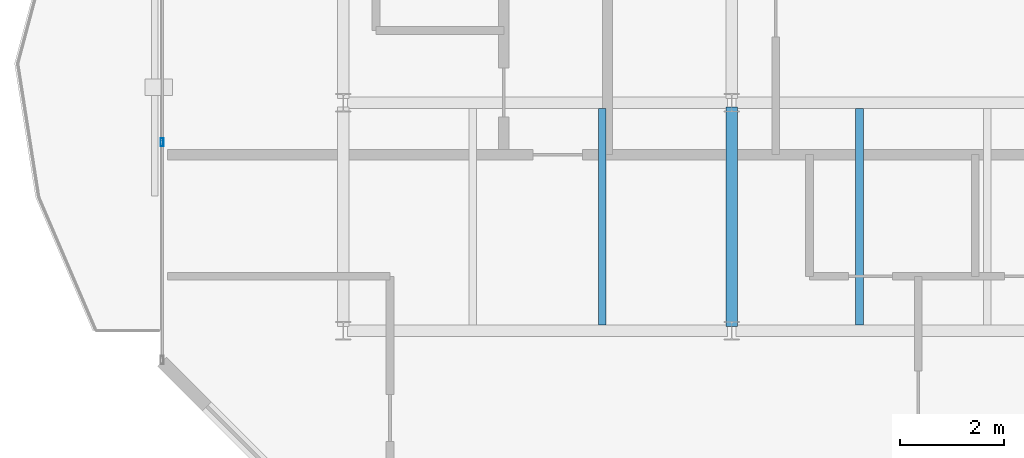
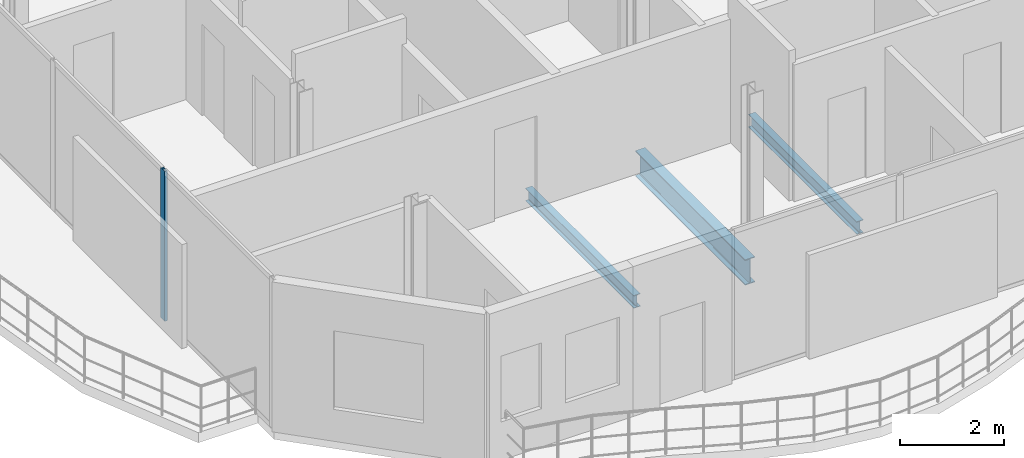
# One storey, part 5 of 22: 3 beams, 1 member, 1 element without a shape of its own.
"""IFC4 building model written with IfcOpenShell, lengths in metres."""

from ifc_helpers import new_model, si_unit, direction, frame, origin, origin_2d, place, context, subcontext, project, spatial, hollow_rectangle, i_section, extrude, material, layer, layer_set, material_profile, profile_set, type_object, element, aggregate, save


model = new_model("IFC4")

# Units and contexts
model_context = context("Model", 3, precision=1e-05, world=origin(), true_north=direction((0.0, 1.0)))
body_context = subcontext(model_context, "Body", "Model", "MODEL_VIEW")
ifc_project = project(units=[si_unit("LENGTHUNIT", "METRE"), si_unit("AREAUNIT", "SQUARE_METRE"), si_unit("VOLUMEUNIT", "CUBIC_METRE"), si_unit("PLANEANGLEUNIT", "RADIAN"), si_unit("MASSUNIT", "GRAM", prefix="KILO")], contexts=[model_context])

# Site, building, storey
site_placement = place(None, origin())
site = spatial("IfcSite", under=ifc_project, at=site_placement, CompositionType="ELEMENT")
building_placement = place(site_placement, origin())
building = spatial("IfcBuilding", under=site, at=building_placement, Name="Catumbela Crestline Tower", CompositionType="ELEMENT")
storey_placement = place(building_placement, frame((0.0, 0.0, 218.4)))
storey = spatial("IfcBuildingStorey", under=building, at=storey_placement, Name="L56", CompositionType="ELEMENT", Elevation=218.4)

# Beams
ifc_material_1 = material(Name="Structural steel S355J2", Category="steel")
ifc_material_profile_1 = material_profile(ifc_material_1, i_section(OverallWidth=0.22, OverallDepth=0.6, WebThickness=0.012, FlangeThickness=0.019, FilletRadius=0.024, at=origin_2d()), Name="IPE 600")
ifc_profile_set_1 = profile_set([ifc_material_profile_1], Name="Structural steel S355J2")
beam_type_1 = type_object("IfcBeamType", Name="BG-IPE600", PredefinedType="BEAM", material=ifc_profile_set_1)
beam_placement = place(storey_placement, frame((16.0, 13.68, -0.56), z_axis=(0.0, 1.0, 0.0), x_axis=(-1.0, 0.0, 0.0)))
element("IfcBeam", 1, at=beam_placement, inside=storey, type_object=beam_type_1, Name="L56 Beam BM-L56-WNS33", PredefinedType="BEAM", context=body_context, shape_type="SweptSolid", body=[
    extrude(i_section(OverallWidth=0.22, OverallDepth=0.6, WebThickness=0.012, FlangeThickness=0.019, FilletRadius=0.024, at=origin_2d()), origin(), (0.0, 0.0, 1.0), 4.24),
])
ifc_material_profile_2 = material_profile(ifc_material_1, i_section(OverallWidth=0.15, OverallDepth=0.3, WebThickness=0.0071, FlangeThickness=0.0107, FilletRadius=0.015, at=origin_2d()), Name="IPE 300")
ifc_profile_set_2 = profile_set([ifc_material_profile_2], Name="Structural steel S355J2")
beam_type_2 = type_object("IfcBeamType", Name="BJ-IPE300", PredefinedType="JOIST", material=ifc_profile_set_2)
for number, where, z_axis, x_axis, name in (
    (2, (13.5, 13.71, -0.41), (0.0, 1.0, 0.0), (-1.0, 0.0, 0.0), "L56 Joist JS-L56-WG37"),
    (3, (18.467, 13.71, -0.41), (0.0, 1.0, 0.0), (-1.0, 0.0, 0.0), "L56 Joist JS-L56-WG38"),
):
    element("IfcBeam", number, at=place(storey_placement, frame(where, z_axis=z_axis, x_axis=x_axis)), inside=storey, type_object=beam_type_2, Name=name, PredefinedType="JOIST", context=body_context, shape_type="SweptSolid", body=[
        extrude(i_section(OverallWidth=0.15, OverallDepth=0.3, WebThickness=0.0071, FlangeThickness=0.0107, FilletRadius=0.015, at=origin_2d()), origin(), (0.0, 0.0, 1.0), 4.18),
    ])

# Curtain wall, member
ifc_material_2 = material(Name="Aluminium alloy AW-6060-T66", Category="aluminium")
ifc_layer = layer(ifc_material_2, 0.18, Name="Aluminium alloy AW-6060-T66")
ifc_layer_set = layer_set([ifc_layer], Name="Aluminium alloy AW-6060-T66")
curtain_wall_type = type_object("IfcCurtainWallType", Name="CWU-Z4", PredefinedType="USERDEFINED", material=ifc_layer_set)
curtain_wall_placement = place(storey_placement, origin())
curtain_wall = element("IfcCurtainWall", 4, at=curtain_wall_placement, inside=storey, type_object=curtain_wall_type, Name="L56 Unitised Curtain Wall CW-L56-E9S2", ObjectType="UNITISED", PredefinedType="USERDEFINED")
ifc_material_profile_3 = material_profile(ifc_material_2, hollow_rectangle(XDim=0.06, YDim=0.16, WallThickness=0.004, at=origin_2d()), Name="ALU 160x60x4")
ifc_profile_set_3 = profile_set([ifc_material_profile_3], Name="Aluminium alloy AW-6060-T66")
member_type = type_object("IfcMemberType", Name="MUL-160X60", PredefinedType="MULLION", material=ifc_profile_set_3)
member_placement = place(storey_placement, frame((5.0, 17.24, 0.0), z_axis=(0.0, 0.0, 1.0), x_axis=(1.0, 0.0, 0.0)))
member = element("IfcMember", 5, at=member_placement, type_object=member_type, Name="CWU-Z4 mullion 5", PredefinedType="MULLION", context=body_context, shape_type="SweptSolid", body=[
    extrude(hollow_rectangle(XDim=0.06, YDim=0.16, WallThickness=0.004, at=origin_2d()), origin(), (0.0, 0.0, 1.0), 3.53),
])
aggregate(curtain_wall, [member])

save(model, "model.ifc")
